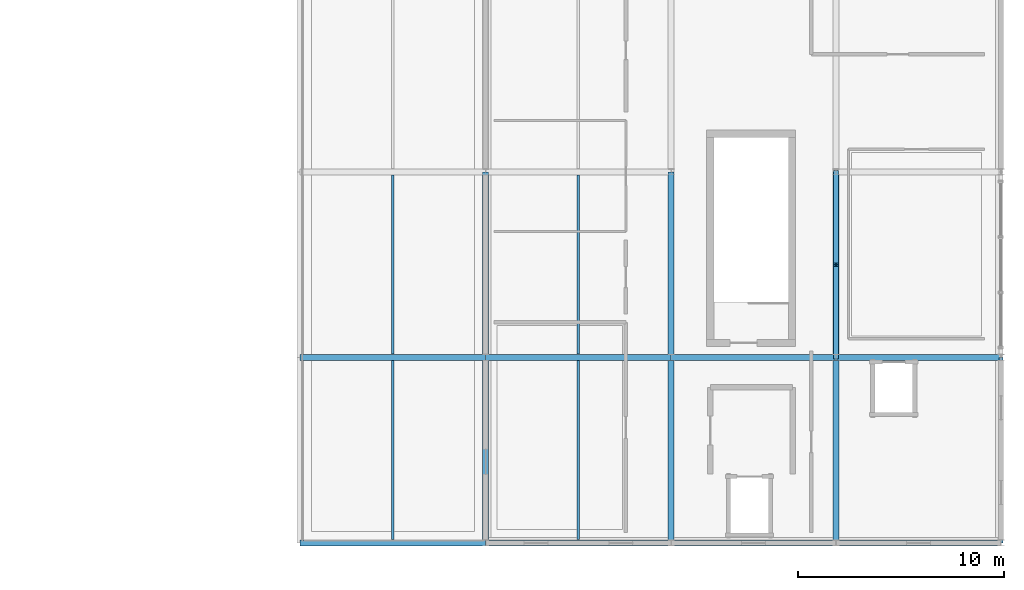
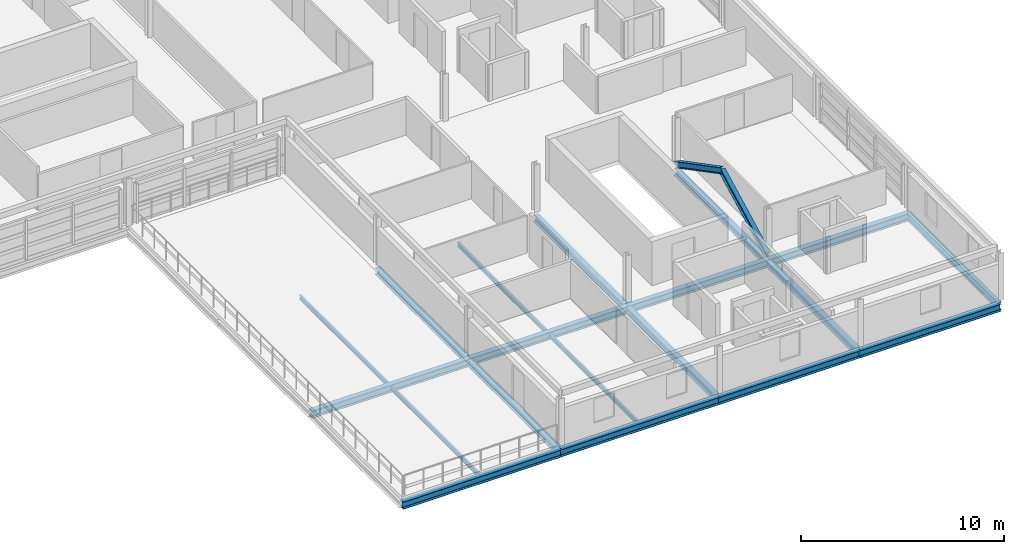
# One storey, part 8 of 27: 19 beams, 2 members.
"""IFC4 building model written with IfcOpenShell, lengths in metres."""

from ifc_helpers import new_model, si_unit, direction, frame, origin, origin_2d, place, context, subcontext, project, spatial, i_section, extrude, material, material_profile, profile_set, type_object, element, save


model = new_model("IFC4")

# Units and contexts
model_context = context("Model", 3, precision=1e-05, world=origin(), true_north=direction((0.0, 1.0)))
body_context = subcontext(model_context, "Body", "Model", "MODEL_VIEW")
ifc_project = project(units=[si_unit("LENGTHUNIT", "METRE"), si_unit("AREAUNIT", "SQUARE_METRE"), si_unit("VOLUMEUNIT", "CUBIC_METRE"), si_unit("PLANEANGLEUNIT", "RADIAN"), si_unit("MASSUNIT", "GRAM", prefix="KILO")], contexts=[model_context])

# Site, building, storey
site_placement = place(None, origin())
site = spatial("IfcSite", under=ifc_project, at=site_placement, CompositionType="ELEMENT")
building_placement = place(site_placement, origin())
building = spatial("IfcBuilding", under=site, at=building_placement, Name="Chuanluo Vaults Station", CompositionType="ELEMENT")
storey_placement = place(building_placement, frame((0.0, 0.0, 20.800048828125)))
storey = spatial("IfcBuildingStorey", under=building, at=storey_placement, Name="L05", CompositionType="ELEMENT", Elevation=20.800048828125)

# Beams
ifc_material_1 = material(Name="Steel Q355C", Category="steel")
ifc_material_profile_1 = material_profile(ifc_material_1, i_section(OverallWidth=0.300048828125, OverallDepth=0.389892578125, WebThickness=0.010009765625, FlangeThickness=0.01611328125, FilletRadius=0.02001953125, at=origin_2d()))
ifc_profile_set_1 = profile_set([ifc_material_profile_1], Name="Steel Q355C")
beam_type_1 = type_object("IfcBeamType", Name="BM-GRD-400", PredefinedType="BEAM", material=ifc_profile_set_1)
for number, where, z_axis, x_axis, name in (
    (1, (163.0, 76.5, -0.425048828125), (0.0, 1.0, 0.0), (-1.0, 0.0, 0.0), "Floor girder BM:GY:L05:0996"),
    (2, (163.0, 85.5, -0.425048828125), (0.0, 1.0, 0.0), (-1.0, 0.0, 0.0), "Floor girder BM:GY:L05:0997"),
    (3, (172.0, 76.5, -0.4150390625), (0.0, 1.0, 0.0), (-1.0, 0.0, 0.0), "Floor girder BM:GY:L05:1001"),
    (4, (172.0, 85.5, -0.4150390625), (0.0, 1.0, 0.0), (-1.0, 0.0, 0.0), "Floor girder BM:GY:L05:1002"),
    (5, (180.0, 76.5, -0.4150390625), (0.0, 1.0, 0.0), (-1.0, 0.0, 0.0), "Floor girder BM:GY:L05:1006"),
    (6, (180.0, 85.5, -0.4150390625), (0.0, 1.0, 0.0), (-1.0, 0.0, 0.0), "Floor girder BM:GY:L05:1007"),
):
    element("IfcBeam", number, at=place(storey_placement, frame(where, z_axis=z_axis, x_axis=x_axis)), inside=storey, type_object=beam_type_1, Name=name, PredefinedType="BEAM", context=body_context, shape_type="SweptSolid", body=[
        extrude(i_section(OverallWidth=0.300048828125, OverallDepth=0.389892578125, WebThickness=0.010009765625, FlangeThickness=0.01611328125, FilletRadius=0.02001953125, at=origin_2d()), origin(), (0.0, 0.0, 1.0), 9.0),
    ])
ifc_material_2 = material(Name="Steel Q355C", Category="steel")
ifc_material_profile_2 = material_profile(ifc_material_2, i_section(OverallWidth=0.300048828125, OverallDepth=0.43994140625, WebThickness=0.010986328125, FlangeThickness=0.01806640625, FilletRadius=0.02001953125, at=origin_2d()))
ifc_profile_set_2 = profile_set([ifc_material_profile_2], Name="Steel Q355C")
beam_type_2 = type_object("IfcBeamType", Name="BM-GRD-450", PredefinedType="USERDEFINED", material=ifc_profile_set_2)
for number, where, z_axis, x_axis, name in (
    (7, (154.0, 76.5, -0.449951171875), (1.0, 0.0, 0.0), (0.0, 1.0, 0.0), "Floor girder BM:GX:L05:0954"),
    (8, (163.0, 76.5, -0.43994140625), (1.0, 0.0, 0.0), (0.0, 1.0, 0.0), "Floor girder BM:GX:L05:0955"),
):
    element("IfcBeam", number, at=place(storey_placement, frame(where, z_axis=z_axis, x_axis=x_axis)), inside=storey, type_object=beam_type_2, Name=name, ObjectType="GIRDER", PredefinedType="USERDEFINED", context=body_context, shape_type="SweptSolid", body=[
        extrude(i_section(OverallWidth=0.300048828125, OverallDepth=0.43994140625, WebThickness=0.010986328125, FlangeThickness=0.01806640625, FilletRadius=0.02001953125, at=origin_2d()), origin(), (0.0, 0.0, 1.0), 9.0),
    ])
for number, where, z_axis, x_axis, name in (
    (9, (172.0, 76.5, -0.43994140625), (1.0, 0.0, 0.0), (0.0, 1.0, 0.0), "Floor girder BM:GX:L05:0956"),
    (10, (180.0, 76.5, -0.43994140625), (1.0, 0.0, 0.0), (0.0, 1.0, 0.0), "Floor girder BM:GX:L05:0957"),
):
    element("IfcBeam", number, at=place(storey_placement, frame(where, z_axis=z_axis, x_axis=x_axis)), inside=storey, type_object=beam_type_2, Name=name, ObjectType="GIRDER", PredefinedType="USERDEFINED", context=body_context, shape_type="SweptSolid", body=[
        extrude(i_section(OverallWidth=0.300048828125, OverallDepth=0.43994140625, WebThickness=0.010986328125, FlangeThickness=0.01806640625, FilletRadius=0.02001953125, at=origin_2d()), origin(), (0.0, 0.0, 1.0), 8.0),
    ])
for number, where, z_axis, x_axis, name in (
    (11, (154.0, 85.5, -0.449951171875), (1.0, 0.0, 0.0), (0.0, 1.0, 0.0), "Floor girder BM:GX:L05:0958"),
    (12, (163.0, 85.5, -0.43994140625), (1.0, 0.0, 0.0), (0.0, 1.0, 0.0), "Floor girder BM:GX:L05:0959"),
):
    element("IfcBeam", number, at=place(storey_placement, frame(where, z_axis=z_axis, x_axis=x_axis)), inside=storey, type_object=beam_type_2, Name=name, ObjectType="GIRDER", PredefinedType="USERDEFINED", context=body_context, shape_type="SweptSolid", body=[
        extrude(i_section(OverallWidth=0.300048828125, OverallDepth=0.43994140625, WebThickness=0.010986328125, FlangeThickness=0.01806640625, FilletRadius=0.02001953125, at=origin_2d()), origin(), (0.0, 0.0, 1.0), 9.0),
    ])
for number, where, z_axis, x_axis, name in (
    (13, (172.0, 85.5, -0.43994140625), (1.0, 0.0, 0.0), (0.0, 1.0, 0.0), "Floor girder BM:GX:L05:0960"),
    (14, (180.0, 85.5, -0.43994140625), (1.0, 0.0, 0.0), (0.0, 1.0, 0.0), "Floor girder BM:GX:L05:0961"),
):
    element("IfcBeam", number, at=place(storey_placement, frame(where, z_axis=z_axis, x_axis=x_axis)), inside=storey, type_object=beam_type_2, Name=name, ObjectType="GIRDER", PredefinedType="USERDEFINED", context=body_context, shape_type="SweptSolid", body=[
        extrude(i_section(OverallWidth=0.300048828125, OverallDepth=0.43994140625, WebThickness=0.010986328125, FlangeThickness=0.01806640625, FilletRadius=0.02001953125, at=origin_2d()), origin(), (0.0, 0.0, 1.0), 8.0),
    ])
ifc_material_3 = material(Name="Steel Q355C", Category="steel")
ifc_material_profile_3 = material_profile(ifc_material_3, i_section(OverallWidth=0.125, OverallDepth=0.25, WebThickness=0.006103515625, FlangeThickness=0.009033203125, FilletRadius=0.011962890625, at=origin_2d()))
ifc_profile_set_3 = profile_set([ifc_material_profile_3], Name="Steel Q355C")
beam_type_3 = type_object("IfcBeamType", Name="BM-SEC-250", PredefinedType="JOIST", material=ifc_profile_set_3)
for number, where, z_axis, x_axis, name in (
    (15, (158.5, 76.655029296875, -0.35498046875), (0.0, 1.0, 0.0), (-1.0, 0.0, 0.0), "Composite secondary joist 0300"),
    (16, (158.5, 85.655029296875, -0.35498046875), (0.0, 1.0, 0.0), (-1.0, 0.0, 0.0), "Composite secondary joist 0301"),
    (17, (167.5, 76.655029296875, -0.344970703125), (0.0, 1.0, 0.0), (-1.0, 0.0, 0.0), "Composite secondary joist 0305"),
    (18, (167.5, 85.655029296875, -0.344970703125), (0.0, 1.0, 0.0), (-1.0, 0.0, 0.0), "Composite secondary joist 0306"),
):
    element("IfcBeam", number, at=place(storey_placement, frame(where, z_axis=z_axis, x_axis=x_axis)), inside=storey, type_object=beam_type_3, Name=name, PredefinedType="JOIST", context=body_context, shape_type="SweptSolid", body=[
        extrude(i_section(OverallWidth=0.125, OverallDepth=0.25, WebThickness=0.006103515625, FlangeThickness=0.009033203125, FilletRadius=0.011962890625, at=origin_2d()), origin(), (0.0, 0.0, 1.0), 8.68994140625),
    ])
ifc_material_4 = material(Name="Steel Q355C", Category="steel")
ifc_material_profile_4 = material_profile(ifc_material_4, i_section(OverallWidth=0.205078125, OverallDepth=0.4599609375, WebThickness=0.009033203125, FlangeThickness=0.013916015625, FilletRadius=0.01611328125, at=origin_2d()))
ifc_profile_set_4 = profile_set([ifc_material_profile_4], Name="Steel Q355C")
beam_type_4 = type_object("IfcBeamType", Name="BM-SPN-450", PredefinedType="SPANDREL", material=ifc_profile_set_4)
beam_placement = place(storey_placement, frame((188.0, 76.5, -0.449951171875), z_axis=(0.0, 1.0, 0.0), x_axis=(-1.0, 0.0, 0.0)))
element("IfcBeam", 19, at=beam_placement, inside=storey, type_object=beam_type_4, Name="Floor girder BM:GY:L05:1011", PredefinedType="SPANDREL", context=body_context, shape_type="SweptSolid", body=[
    extrude(i_section(OverallWidth=0.205078125, OverallDepth=0.4599609375, WebThickness=0.009033203125, FlangeThickness=0.013916015625, FilletRadius=0.01611328125, at=origin_2d()), origin(), (0.0, 0.0, 1.0), 9.0),
])

# Members
ifc_material_5 = material(Name="Steel Q355C", Category="steel")
ifc_material_profile_5 = material_profile(ifc_material_5, i_section(OverallWidth=0.25, OverallDepth=0.340087890625, WebThickness=0.009033203125, FlangeThickness=0.013916015625, FilletRadius=0.01611328125, at=origin_2d()))
ifc_profile_set_5 = profile_set([ifc_material_profile_5], Name="Steel Q355C")
member_type = type_object("IfcMemberType", Name="MEM-CBR-340", PredefinedType="BRACE", material=ifc_profile_set_5)
for number, where, z_axis, x_axis, name in (
    (20, (180.0, 85.5, 0.0), (0.0, 0.88642100823, 0.462879893892), (-1.0, 0.0, 0.0), "Lateral chevron brace 11"),
    (21, (180.0, 94.5, 0.0), (0.0, -0.88642100823, 0.462879893892), (1.0, 0.0, 0.0), "Lateral chevron brace 12"),
):
    element("IfcMember", number, at=place(storey_placement, frame(where, z_axis=z_axis, x_axis=x_axis)), inside=storey, type_object=member_type, Name=name, PredefinedType="BRACE", context=body_context, shape_type="SweptSolid", body=[
        extrude(i_section(OverallWidth=0.25, OverallDepth=0.340087890625, WebThickness=0.009033203125, FlangeThickness=0.013916015625, FilletRadius=0.01611328125, at=origin_2d()), origin(), (0.0, 0.0, 1.0), 5.07666015625),
    ])

save(model, "model.ifc")
